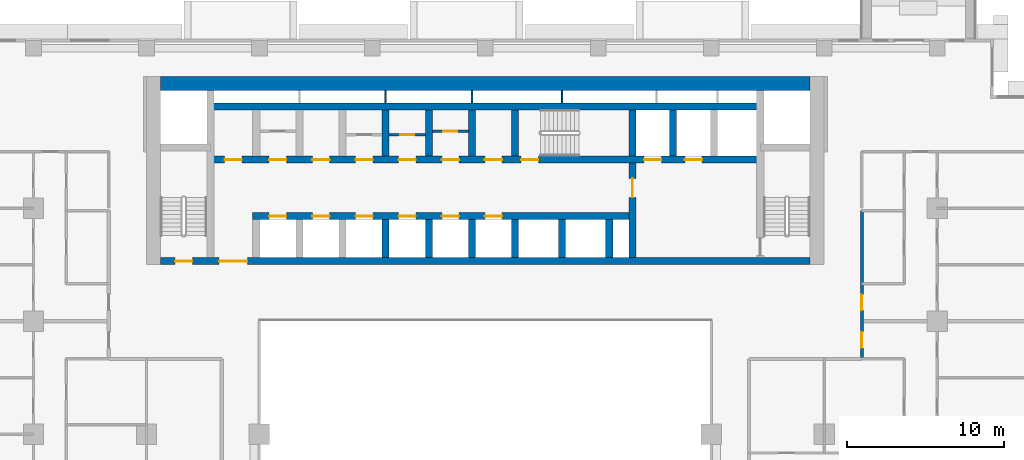
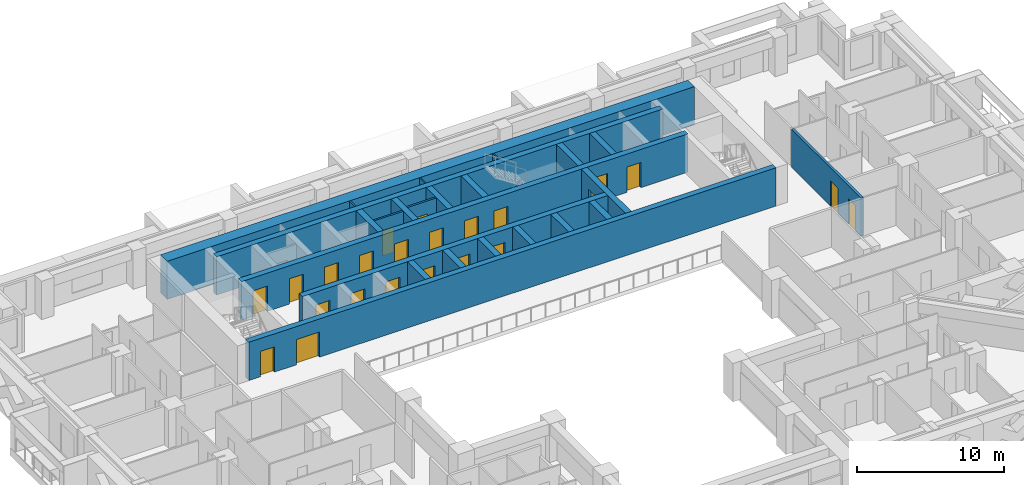
# One storey, part 10 of 17: 24 walls, 23 doors, 23 openings.
"""IFC4 building model written with IfcOpenShell, lengths in metres."""

from ifc_helpers import new_model, si_unit, direction, frame, frame_2d, origin, place, context, subcontext, project, spatial, rectangle, extrude, material, layer, layer_set, type_object, element, fill, save


model = new_model("IFC4")

# Units and contexts
model_context = context("Model", 3, precision=1e-05, world=origin(), true_north=direction((0.0, 1.0)))
body_context = subcontext(model_context, "Body", "Model", "MODEL_VIEW")
ifc_project = project(units=[si_unit("LENGTHUNIT", "METRE"), si_unit("AREAUNIT", "SQUARE_METRE"), si_unit("VOLUMEUNIT", "CUBIC_METRE"), si_unit("PLANEANGLEUNIT", "RADIAN"), si_unit("MASSUNIT", "GRAM", prefix="KILO")], contexts=[model_context])

# Site, building, storey
site_placement = place(None, origin())
site = spatial("IfcSite", under=ifc_project, at=site_placement, CompositionType="ELEMENT")
building_placement = place(site_placement, origin())
building = spatial("IfcBuilding", under=site, at=building_placement, Name="Saffron Iwan Residences", CompositionType="ELEMENT")
storey_placement = place(building_placement, frame((0.0, 0.0, 76.0)))
storey = spatial("IfcBuildingStorey", under=building, at=storey_placement, Name="L19", CompositionType="ELEMENT", Elevation=76.0)

# Wall, opening, door
ifc_material_1 = material(Name="Fire-rated plasterboard partition")
ifc_layer_1 = layer(ifc_material_1, 0.14990234375)
ifc_layer_set_1 = layer_set([ifc_layer_1], Name="Fire-rated plasterboard partition")
wall_type_1 = type_object("IfcWallType", Name="Core partition 150", PredefinedType="PARTITIONING", material=ifc_layer_set_1)
wall_1_placement = place(storey_placement, frame((44.27490234375, 74.281982421875, 0.0), z_axis=(0.0, 0.0, 1.0), x_axis=(1.0, 0.0, 0.0)))
wall_1 = element("IfcWall", 1, at=wall_1_placement, inside=storey, type_object=wall_type_1, Name="Core partition P03", PredefinedType="PARTITIONING", context=body_context, shape_type="SweptSolid", body=[
    extrude(rectangle(XDim=2.300048828125, YDim=0.14990234375, at=frame_2d((1.14990234375, 0.0))), origin(), (0.0, 0.0, 1.0), 3.179931640625),
])
opening_1_placement = place(wall_1_placement, frame((0.699951171875, 0.0, 0.0)))
opening_1 = element("IfcOpeningElement", 2, at=opening_1_placement, cuts=wall_1, Name="Opening SB", PredefinedType="OPENING", context=body_context, shape_type="SweptSolid", body=[
    extrude(rectangle(XDim=0.89990234375, YDim=2.10009765625, at=frame_2d((0.449951171875, 1.050048828125))), frame((0.0, 0.0849609375, 0.0), z_axis=(0.0, -1.0, 0.0), x_axis=(1.0, 0.0, 0.0)), (0.0, 0.0, 1.0), 0.169921875),
])
ifc_material_2 = material(Name="Steel fire door", Category="steel")
door_type_1 = type_object("IfcDoorType", Name="Store door 900", OperationType="NOTDEFINED", PredefinedType="DOOR", material=ifc_material_2)
door_1_placement = place(opening_1_placement, origin())
door_1 = element("IfcDoor", 3, at=door_1_placement, inside=storey, type_object=door_type_1, Name="Door Battery room", OperationType="SINGLE_SWING_RIGHT", OverallHeight=2.10009765625, OverallWidth=0.89990234375, PredefinedType="DOOR", context=body_context, shape_type="SweptSolid", body=[
    extrude(rectangle(XDim=0.89990234375, YDim=2.10009765625, at=frame_2d((0.449951171875, 1.050048828125))), frame((0.0, 0.02490234375, 0.0), z_axis=(0.0, -1.0, 0.0), x_axis=(1.0, 0.0, 0.0)), (0.0, 0.0, 1.0), 0.050048828125),
])
fill(opening_1, door_1)

wall_2_placement = place(storey_placement, frame((47.02490234375, 74.51806640625, 0.0), z_axis=(0.0, 0.0, 1.0), x_axis=(1.0, 0.0, 0.0)))
wall_2 = element("IfcWall", 4, at=wall_2_placement, inside=storey, type_object=wall_type_1, Name="Core partition P04", PredefinedType="PARTITIONING", context=body_context, shape_type="SweptSolid", body=[
    extrude(rectangle(XDim=2.300048828125, YDim=0.14990234375, at=frame_2d((1.14990234375, 0.0))), origin(), (0.0, 0.0, 1.0), 3.179931640625),
])
opening_2_placement = place(wall_2_placement, frame((0.699951171875, 0.0, 0.0)))
opening_2 = element("IfcOpeningElement", 5, at=opening_2_placement, cuts=wall_2, Name="Opening SB", PredefinedType="OPENING", context=body_context, shape_type="SweptSolid", body=[
    extrude(rectangle(XDim=0.89990234375, YDim=2.10009765625, at=frame_2d((0.449951171875, 1.050048828125))), frame((0.0, 0.0849609375, 0.0), z_axis=(0.0, -1.0, 0.0), x_axis=(1.0, 0.0, 0.0)), (0.0, 0.0, 1.0), 0.169921875),
])
door_2_placement = place(opening_2_placement, origin())
door_2 = element("IfcDoor", 6, at=door_2_placement, inside=storey, type_object=door_type_1, Name="Door Records store", OperationType="SINGLE_SWING_RIGHT", OverallHeight=2.10009765625, OverallWidth=0.89990234375, PredefinedType="DOOR", context=body_context, shape_type="SweptSolid", body=[
    extrude(rectangle(XDim=0.89990234375, YDim=2.10009765625, at=frame_2d((0.449951171875, 1.050048828125))), frame((0.0, 0.02490234375, 0.0), z_axis=(0.0, -1.0, 0.0), x_axis=(1.0, 0.0, 0.0)), (0.0, 0.0, 1.0), 0.050048828125),
])
fill(opening_2, door_2)

# Wall, openings, doors
ifc_material_3 = material(Name="Fire-rated gypsum board wall")
ifc_layer_2 = layer(ifc_material_3, 0.199951171875)
ifc_layer_set_2 = layer_set([ifc_layer_2], Name="Fire-rated gypsum board wall")
wall_type_2 = type_object("IfcWallType", Name="Gallery wall 200", PredefinedType="SOLIDWALL", material=ifc_layer_set_2)
wall_3_placement = place(storey_placement, frame((74.39990234375, 60.0, 0.0), z_axis=(0.0, 0.0, 1.0), x_axis=(0.0, 1.0, 0.0)))
wall_3 = element("IfcWall", 7, at=wall_3_placement, inside=storey, type_object=wall_type_2, Name="W-L19-CORR-v74.4-60", PredefinedType="SOLIDWALL", context=body_context, shape_type="SweptSolid", body=[
    extrude(rectangle(XDim=9.449951171875, YDim=0.199951171875, at=frame_2d((4.72509765625, 0.0))), origin(), (0.0, 0.0, 1.0), 3.179931640625),
])
opening_3_placement = place(wall_3_placement, frame((0.699951171875, 0.0, 0.0)))
opening_3 = element("IfcOpeningElement", 8, at=opening_3_placement, cuts=wall_3, Name="Opening FD1", PredefinedType="OPENING", context=body_context, shape_type="SweptSolid", body=[
    extrude(rectangle(XDim=1.0, YDim=2.10009765625, at=frame_2d((0.5, 1.050048828125))), frame((0.0, 0.10986328125, 0.0), z_axis=(0.0, -1.0, 0.0), x_axis=(1.0, 0.0, 0.0)), (0.0, 0.0, 1.0), 0.219970703125),
])
opening_4_placement = place(wall_3_placement, frame((3.10009765625, 0.0, 0.0)))
opening_4 = element("IfcOpeningElement", 9, at=opening_4_placement, cuts=wall_3, Name="Opening FD1", PredefinedType="OPENING", context=body_context, shape_type="SweptSolid", body=[
    extrude(rectangle(XDim=1.0, YDim=2.10009765625, at=frame_2d((0.5, 1.050048828125))), frame((0.0, 0.10986328125, 0.0), z_axis=(0.0, -1.0, 0.0), x_axis=(1.0, 0.0, 0.0)), (0.0, 0.0, 1.0), 0.219970703125),
])
ifc_material_4 = material(Name="Fire-rated timber door", Category="wood")
door_type_2 = type_object("IfcDoorType", Name="FD30S flat entrance door 1000", OperationType="NOTDEFINED", PredefinedType="DOOR", material=ifc_material_4)
door_3_placement = place(opening_3_placement, origin())
door_3 = element("IfcDoor", 10, at=door_3_placement, inside=storey, type_object=door_type_2, Name="Door L19-021", OperationType="SINGLE_SWING_RIGHT", OverallHeight=2.10009765625, OverallWidth=1.0, PredefinedType="DOOR", context=body_context, shape_type="SweptSolid", body=[
    extrude(rectangle(XDim=1.0, YDim=2.10009765625, at=frame_2d((0.5, 1.050048828125))), frame((0.0, 0.02490234375, 0.0), z_axis=(0.0, -1.0, 0.0), x_axis=(1.0, 0.0, 0.0)), (0.0, 0.0, 1.0), 0.050048828125),
])
fill(opening_3, door_3)
door_4_placement = place(opening_4_placement, origin())
door_4 = element("IfcDoor", 11, at=door_4_placement, inside=storey, type_object=door_type_2, Name="Door L19-036", OperationType="SINGLE_SWING_RIGHT", OverallHeight=2.10009765625, OverallWidth=1.0, PredefinedType="DOOR", context=body_context, shape_type="SweptSolid", body=[
    extrude(rectangle(XDim=1.0, YDim=2.10009765625, at=frame_2d((0.5, 1.050048828125))), frame((0.0, 0.02490234375, 0.0), z_axis=(0.0, -1.0, 0.0), x_axis=(1.0, 0.0, 0.0)), (0.0, 0.0, 1.0), 0.050048828125),
])
fill(opening_4, door_4)

# Walls
ifc_layer_3 = layer(ifc_material_1, 0.10009765625)
ifc_layer_set_3 = layer_set([ifc_layer_3], Name="Fire-rated plasterboard partition")
wall_type_3 = type_object("IfcWallType", Name="Riser partition 100", PredefinedType="PARTITIONING", material=ifc_layer_set_3)
for number, where, z_axis, x_axis, name in (
    (12, (44.050048828125, 76.324951171875, 0.0), (0.0, 0.0, 1.0), (0.0, 1.0, 0.0), "Core partition P06"),
    (13, (49.550048828125, 76.324951171875, 0.0), (0.0, 0.0, 1.0), (0.0, 1.0, 0.0), "Core partition P07"),
    (14, (55.300048828125, 76.324951171875, 0.0), (0.0, 0.0, 1.0), (0.0, 1.0, 0.0), "Core partition P08"),
):
    element("IfcWall", number, at=place(storey_placement, frame(where, z_axis=z_axis, x_axis=x_axis)), inside=storey, type_object=wall_type_3, Name=name, PredefinedType="PARTITIONING", context=body_context, shape_type="SweptSolid", body=[
        extrude(rectangle(XDim=0.775146484375, YDim=0.10009765625, at=frame_2d((0.3876953125, 0.0))), origin(), (0.0, 0.0, 1.0), 3.179931640625),
    ])

# Wall, openings, doors
ifc_material_5 = material(Name="Concrete C60/75", Category="concrete")
ifc_layer_4 = layer(ifc_material_5, 0.449951171875)
ifc_layer_set_4 = layer_set([ifc_layer_4], Name="Concrete C60/75")
wall_type_4 = type_object("IfcWallType", Name="WALL CORE 450 C60/75 3180 HIGH", PredefinedType="SHEAR", material=ifc_layer_set_4)
wall_4_placement = place(storey_placement, frame((29.699951171875, 66.22509765625, 0.0), z_axis=(0.0, 0.0, 1.0), x_axis=(1.0, 0.0, 0.0)))
wall_4 = element("IfcWall", 15, at=wall_4_placement, inside=storey, type_object=wall_type_4, Name="Core wall", PredefinedType="SHEAR", context=body_context, shape_type="SweptSolid", body=[
    extrude(rectangle(XDim=41.400146484375, YDim=0.449951171875, at=frame_2d((20.7001953125, 0.0))), origin(), (0.0, 0.0, 1.0), 3.179931640625),
])
opening_5_placement = place(wall_4_placement, frame((0.925048828125, 0.0, 0.0)))
opening_5 = element("IfcOpeningElement", 16, at=opening_5_placement, cuts=wall_4, Name="Opening SD", PredefinedType="OPENING", context=body_context, shape_type="SweptSolid", body=[
    extrude(rectangle(XDim=1.10009765625, YDim=2.10009765625, at=frame_2d((0.550048828125, 1.050048828125))), frame((0.0, 0.23486328125, 0.0), z_axis=(0.0, -1.0, 0.0), x_axis=(1.0, 0.0, 0.0)), (0.0, 0.0, 1.0), 0.469970703125),
])
opening_6_placement = place(wall_4_placement, frame((3.737548828125, 0.0, 0.0)))
opening_6 = element("IfcOpeningElement", 17, at=opening_6_placement, cuts=wall_4, Name="Opening DD", PredefinedType="OPENING", context=body_context, shape_type="SweptSolid", body=[
    extrude(rectangle(XDim=1.800048828125, YDim=2.10009765625, at=frame_2d((0.89990234375, 1.050048828125))), frame((0.0, 0.23486328125, 0.0), z_axis=(0.0, -1.0, 0.0), x_axis=(1.0, 0.0, 0.0)), (0.0, 0.0, 1.0), 0.469970703125),
])
door_type_3 = type_object("IfcDoorType", Name="Lobby double door 1800", OperationType="DOUBLE_DOOR_SINGLE_SWING", PredefinedType="DOOR", material=ifc_material_2)
door_5_placement = place(opening_6_placement, origin())
door_5 = element("IfcDoor", 18, at=door_5_placement, inside=storey, type_object=door_type_3, Name="Lobby doors", OperationType="DOUBLE_DOOR_SINGLE_SWING", OverallHeight=2.10009765625, OverallWidth=1.800048828125, PredefinedType="DOOR", context=body_context, shape_type="SweptSolid", body=[
    extrude(rectangle(XDim=1.800048828125, YDim=2.10009765625, at=frame_2d((0.89990234375, 1.050048828125))), frame((0.0, 0.02490234375, 0.0), z_axis=(0.0, -1.0, 0.0), x_axis=(1.0, 0.0, 0.0)), (0.0, 0.0, 1.0), 0.050048828125),
])
fill(opening_6, door_5)
door_type_4 = type_object("IfcDoorType", Name="Stair door 1100", OperationType="NOTDEFINED", PredefinedType="DOOR", material=ifc_material_2)
door_6_placement = place(opening_5_placement, origin())
door_6 = element("IfcDoor", 19, at=door_6_placement, inside=storey, type_object=door_type_4, Name="Stair door ST-W", OperationType="SINGLE_SWING_LEFT", OverallHeight=2.10009765625, OverallWidth=1.10009765625, PredefinedType="DOOR", context=body_context, shape_type="SweptSolid", body=[
    extrude(rectangle(XDim=1.10009765625, YDim=2.10009765625, at=frame_2d((0.550048828125, 1.050048828125))), frame((0.0, 0.02490234375, 0.0), z_axis=(0.0, -1.0, 0.0), x_axis=(1.0, 0.0, 0.0)), (0.0, 0.0, 1.0), 0.050048828125),
])
fill(opening_5, door_6)

wall_5_placement = place(storey_placement, frame((35.574951171875, 69.10009765625, 0.0), z_axis=(0.0, 0.0, 1.0), x_axis=(1.0, 0.0, 0.0)))
wall_5 = element("IfcWall", 20, at=wall_5_placement, inside=storey, type_object=wall_type_4, Name="Core wall", PredefinedType="SHEAR", context=body_context, shape_type="SweptSolid", body=[
    extrude(rectangle(XDim=24.199951171875, YDim=0.449951171875, at=frame_2d((12.10009765625, 0.0))), origin(), (0.0, 0.0, 1.0), 3.179931640625),
])
opening_7_placement = place(wall_5_placement, frame((1.050048828125, 0.0, 0.0)))
opening_7 = element("IfcOpeningElement", 21, at=opening_7_placement, cuts=wall_5, Name="Opening LD", PredefinedType="OPENING", context=body_context, shape_type="SweptSolid", body=[
    extrude(rectangle(XDim=1.10009765625, YDim=2.10009765625, at=frame_2d((0.550048828125, 1.050048828125))), frame((0.0, 0.23486328125, 0.0), z_axis=(0.0, -1.0, 0.0), x_axis=(1.0, 0.0, 0.0)), (0.0, 0.0, 1.0), 0.469970703125),
])
opening_8_placement = place(wall_5_placement, frame((3.800048828125, 0.0, 0.0)))
opening_8 = element("IfcOpeningElement", 22, at=opening_8_placement, cuts=wall_5, Name="Opening LD", PredefinedType="OPENING", context=body_context, shape_type="SweptSolid", body=[
    extrude(rectangle(XDim=1.10009765625, YDim=2.10009765625, at=frame_2d((0.550048828125, 1.050048828125))), frame((0.0, 0.23486328125, 0.0), z_axis=(0.0, -1.0, 0.0), x_axis=(1.0, 0.0, 0.0)), (0.0, 0.0, 1.0), 0.469970703125),
])
opening_9_placement = place(wall_5_placement, frame((6.550048828125, 0.0, 0.0)))
opening_9 = element("IfcOpeningElement", 23, at=opening_9_placement, cuts=wall_5, Name="Opening LD", PredefinedType="OPENING", context=body_context, shape_type="SweptSolid", body=[
    extrude(rectangle(XDim=1.10009765625, YDim=2.10009765625, at=frame_2d((0.550048828125, 1.050048828125))), frame((0.0, 0.23486328125, 0.0), z_axis=(0.0, -1.0, 0.0), x_axis=(1.0, 0.0, 0.0)), (0.0, 0.0, 1.0), 0.469970703125),
])
opening_10_placement = place(wall_5_placement, frame((9.300048828125, 0.0, 0.0)))
opening_10 = element("IfcOpeningElement", 24, at=opening_10_placement, cuts=wall_5, Name="Opening LD", PredefinedType="OPENING", context=body_context, shape_type="SweptSolid", body=[
    extrude(rectangle(XDim=1.10009765625, YDim=2.10009765625, at=frame_2d((0.550048828125, 1.050048828125))), frame((0.0, 0.23486328125, 0.0), z_axis=(0.0, -1.0, 0.0), x_axis=(1.0, 0.0, 0.0)), (0.0, 0.0, 1.0), 0.469970703125),
])
opening_11_placement = place(wall_5_placement, frame((12.050048828125, 0.0, 0.0)))
opening_11 = element("IfcOpeningElement", 25, at=opening_11_placement, cuts=wall_5, Name="Opening LD", PredefinedType="OPENING", context=body_context, shape_type="SweptSolid", body=[
    extrude(rectangle(XDim=1.10009765625, YDim=2.10009765625, at=frame_2d((0.550048828125, 1.050048828125))), frame((0.0, 0.23486328125, 0.0), z_axis=(0.0, -1.0, 0.0), x_axis=(1.0, 0.0, 0.0)), (0.0, 0.0, 1.0), 0.469970703125),
])
opening_12_placement = place(wall_5_placement, frame((14.800048828125, 0.0, 0.0)))
opening_12 = element("IfcOpeningElement", 26, at=opening_12_placement, cuts=wall_5, Name="Opening LD", PredefinedType="OPENING", context=body_context, shape_type="SweptSolid", body=[
    extrude(rectangle(XDim=1.10009765625, YDim=2.10009765625, at=frame_2d((0.550048828125, 1.050048828125))), frame((0.0, 0.23486328125, 0.0), z_axis=(0.0, -1.0, 0.0), x_axis=(1.0, 0.0, 0.0)), (0.0, 0.0, 1.0), 0.469970703125),
])
door_type_5 = type_object("IfcDoorType", Name="Lift landing door 1100", OperationType="SLIDING_TO_LEFT", PredefinedType="DOOR", material=ifc_material_2)
door_7_placement = place(opening_7_placement, origin())
door_7 = element("IfcDoor", 27, at=door_7_placement, inside=storey, type_object=door_type_5, Name="Landing doors LR1", OperationType="SLIDING_TO_LEFT", OverallHeight=2.10009765625, OverallWidth=1.10009765625, PredefinedType="DOOR", context=body_context, shape_type="SweptSolid", body=[
    extrude(rectangle(XDim=1.10009765625, YDim=2.10009765625, at=frame_2d((0.550048828125, 1.050048828125))), frame((0.0, 0.02490234375, 0.0), z_axis=(0.0, -1.0, 0.0), x_axis=(1.0, 0.0, 0.0)), (0.0, 0.0, 1.0), 0.050048828125),
])
fill(opening_7, door_7)
door_8_placement = place(opening_8_placement, origin())
door_8 = element("IfcDoor", 28, at=door_8_placement, inside=storey, type_object=door_type_5, Name="Landing doors LR2", OperationType="SLIDING_TO_LEFT", OverallHeight=2.10009765625, OverallWidth=1.10009765625, PredefinedType="DOOR", context=body_context, shape_type="SweptSolid", body=[
    extrude(rectangle(XDim=1.10009765625, YDim=2.10009765625, at=frame_2d((0.550048828125, 1.050048828125))), frame((0.0, 0.02490234375, 0.0), z_axis=(0.0, -1.0, 0.0), x_axis=(1.0, 0.0, 0.0)), (0.0, 0.0, 1.0), 0.050048828125),
])
fill(opening_8, door_8)
door_9_placement = place(opening_9_placement, origin())
door_9 = element("IfcDoor", 29, at=door_9_placement, inside=storey, type_object=door_type_5, Name="Landing doors LR3", OperationType="SLIDING_TO_LEFT", OverallHeight=2.10009765625, OverallWidth=1.10009765625, PredefinedType="DOOR", context=body_context, shape_type="SweptSolid", body=[
    extrude(rectangle(XDim=1.10009765625, YDim=2.10009765625, at=frame_2d((0.550048828125, 1.050048828125))), frame((0.0, 0.02490234375, 0.0), z_axis=(0.0, -1.0, 0.0), x_axis=(1.0, 0.0, 0.0)), (0.0, 0.0, 1.0), 0.050048828125),
])
fill(opening_9, door_9)
door_10_placement = place(opening_10_placement, origin())
door_10 = element("IfcDoor", 30, at=door_10_placement, inside=storey, type_object=door_type_5, Name="Landing doors LR4", OperationType="SLIDING_TO_LEFT", OverallHeight=2.10009765625, OverallWidth=1.10009765625, PredefinedType="DOOR", context=body_context, shape_type="SweptSolid", body=[
    extrude(rectangle(XDim=1.10009765625, YDim=2.10009765625, at=frame_2d((0.550048828125, 1.050048828125))), frame((0.0, 0.02490234375, 0.0), z_axis=(0.0, -1.0, 0.0), x_axis=(1.0, 0.0, 0.0)), (0.0, 0.0, 1.0), 0.050048828125),
])
fill(opening_10, door_10)
door_11_placement = place(opening_11_placement, origin())
door_11 = element("IfcDoor", 31, at=door_11_placement, inside=storey, type_object=door_type_5, Name="Landing doors LR5", OperationType="SLIDING_TO_LEFT", OverallHeight=2.10009765625, OverallWidth=1.10009765625, PredefinedType="DOOR", context=body_context, shape_type="SweptSolid", body=[
    extrude(rectangle(XDim=1.10009765625, YDim=2.10009765625, at=frame_2d((0.550048828125, 1.050048828125))), frame((0.0, 0.02490234375, 0.0), z_axis=(0.0, -1.0, 0.0), x_axis=(1.0, 0.0, 0.0)), (0.0, 0.0, 1.0), 0.050048828125),
])
fill(opening_11, door_11)
door_12_placement = place(opening_12_placement, origin())
door_12 = element("IfcDoor", 32, at=door_12_placement, inside=storey, type_object=door_type_5, Name="Landing doors LR6", OperationType="SLIDING_TO_LEFT", OverallHeight=2.10009765625, OverallWidth=1.10009765625, PredefinedType="DOOR", context=body_context, shape_type="SweptSolid", body=[
    extrude(rectangle(XDim=1.10009765625, YDim=2.10009765625, at=frame_2d((0.550048828125, 1.050048828125))), frame((0.0, 0.02490234375, 0.0), z_axis=(0.0, -1.0, 0.0), x_axis=(1.0, 0.0, 0.0)), (0.0, 0.0, 1.0), 0.050048828125),
])
fill(opening_12, door_12)

wall_6_placement = place(storey_placement, frame((32.875, 72.699951171875, 0.0), z_axis=(0.0, 0.0, 1.0), x_axis=(1.0, 0.0, 0.0)))
wall_6 = element("IfcWall", 33, at=wall_6_placement, inside=storey, type_object=wall_type_4, Name="Core wall", PredefinedType="SHEAR", context=body_context, shape_type="SweptSolid", body=[
    extrude(rectangle(XDim=35.050048828125, YDim=0.449951171875, at=frame_2d((17.52490234375, 0.0))), origin(), (0.0, 0.0, 1.0), 3.179931640625),
])
opening_13_placement = place(wall_6_placement, frame((19.800048828125, 0.0, 0.0)))
opening_13 = element("IfcOpeningElement", 34, at=opening_13_placement, cuts=wall_6, Name="Opening SD", PredefinedType="OPENING", context=body_context, shape_type="SweptSolid", body=[
    extrude(rectangle(XDim=1.10009765625, YDim=2.10009765625, at=frame_2d((0.550048828125, 1.050048828125))), frame((0.0, 0.23486328125, 0.0), z_axis=(0.0, -1.0, 0.0), x_axis=(1.0, 0.0, 0.0)), (0.0, 0.0, 1.0), 0.469970703125),
])
opening_14_placement = place(wall_6_placement, frame((27.64990234375, 0.0, 0.0)))
opening_14 = element("IfcOpeningElement", 35, at=opening_14_placement, cuts=wall_6, Name="Opening LD", PredefinedType="OPENING", context=body_context, shape_type="SweptSolid", body=[
    extrude(rectangle(XDim=1.10009765625, YDim=2.10009765625, at=frame_2d((0.550048828125, 1.050048828125))), frame((0.0, 0.23486328125, 0.0), z_axis=(0.0, -1.0, 0.0), x_axis=(1.0, 0.0, 0.0)), (0.0, 0.0, 1.0), 0.469970703125),
])
opening_15_placement = place(wall_6_placement, frame((30.25, 0.0, 0.0)))
opening_15 = element("IfcOpeningElement", 36, at=opening_15_placement, cuts=wall_6, Name="Opening LD", PredefinedType="OPENING", context=body_context, shape_type="SweptSolid", body=[
    extrude(rectangle(XDim=1.10009765625, YDim=2.10009765625, at=frame_2d((0.550048828125, 1.050048828125))), frame((0.0, 0.23486328125, 0.0), z_axis=(0.0, -1.0, 0.0), x_axis=(1.0, 0.0, 0.0)), (0.0, 0.0, 1.0), 0.469970703125),
])
opening_16_placement = place(wall_6_placement, frame((3.75, 0.0, 0.0)))
opening_16 = element("IfcOpeningElement", 37, at=opening_16_placement, cuts=wall_6, Name="Opening SR", PredefinedType="OPENING", context=body_context, shape_type="SweptSolid", body=[
    extrude(rectangle(XDim=1.10009765625, YDim=2.10009765625, at=frame_2d((0.550048828125, 1.050048828125))), frame((0.0, 0.23486328125, 0.0), z_axis=(0.0, -1.0, 0.0), x_axis=(1.0, 0.0, 0.0)), (0.0, 0.0, 1.0), 0.469970703125),
])
opening_17_placement = place(wall_6_placement, frame((6.5, 0.0, 0.0)))
opening_17 = element("IfcOpeningElement", 38, at=opening_17_placement, cuts=wall_6, Name="Opening SR", PredefinedType="OPENING", context=body_context, shape_type="SweptSolid", body=[
    extrude(rectangle(XDim=1.10009765625, YDim=2.10009765625, at=frame_2d((0.550048828125, 1.050048828125))), frame((0.0, 0.23486328125, 0.0), z_axis=(0.0, -1.0, 0.0), x_axis=(1.0, 0.0, 0.0)), (0.0, 0.0, 1.0), 0.469970703125),
])
opening_18_placement = place(wall_6_placement, frame((9.25, 0.0, 0.0)))
opening_18 = element("IfcOpeningElement", 39, at=opening_18_placement, cuts=wall_6, Name="Opening SR", PredefinedType="OPENING", context=body_context, shape_type="SweptSolid", body=[
    extrude(rectangle(XDim=1.10009765625, YDim=2.10009765625, at=frame_2d((0.550048828125, 1.050048828125))), frame((0.0, 0.23486328125, 0.0), z_axis=(0.0, -1.0, 0.0), x_axis=(1.0, 0.0, 0.0)), (0.0, 0.0, 1.0), 0.469970703125),
])
opening_19_placement = place(wall_6_placement, frame((12.0, 0.0, 0.0)))
opening_19 = element("IfcOpeningElement", 40, at=opening_19_placement, cuts=wall_6, Name="Opening SR", PredefinedType="OPENING", context=body_context, shape_type="SweptSolid", body=[
    extrude(rectangle(XDim=1.10009765625, YDim=2.10009765625, at=frame_2d((0.550048828125, 1.050048828125))), frame((0.0, 0.23486328125, 0.0), z_axis=(0.0, -1.0, 0.0), x_axis=(1.0, 0.0, 0.0)), (0.0, 0.0, 1.0), 0.469970703125),
])
opening_20_placement = place(wall_6_placement, frame((14.75, 0.0, 0.0)))
opening_20 = element("IfcOpeningElement", 41, at=opening_20_placement, cuts=wall_6, Name="Opening SR", PredefinedType="OPENING", context=body_context, shape_type="SweptSolid", body=[
    extrude(rectangle(XDim=1.10009765625, YDim=2.10009765625, at=frame_2d((0.550048828125, 1.050048828125))), frame((0.0, 0.23486328125, 0.0), z_axis=(0.0, -1.0, 0.0), x_axis=(1.0, 0.0, 0.0)), (0.0, 0.0, 1.0), 0.469970703125),
])
opening_21_placement = place(wall_6_placement, frame((17.5, 0.0, 0.0)))
opening_21 = element("IfcOpeningElement", 42, at=opening_21_placement, cuts=wall_6, Name="Opening SR", PredefinedType="OPENING", context=body_context, shape_type="SweptSolid", body=[
    extrude(rectangle(XDim=1.10009765625, YDim=2.10009765625, at=frame_2d((0.550048828125, 1.050048828125))), frame((0.0, 0.23486328125, 0.0), z_axis=(0.0, -1.0, 0.0), x_axis=(1.0, 0.0, 0.0)), (0.0, 0.0, 1.0), 0.469970703125),
])
opening_22_placement = place(wall_6_placement, frame((0.91259765625, 0.0, 0.0)))
opening_22 = element("IfcOpeningElement", 43, at=opening_22_placement, cuts=wall_6, Name="Opening SR", PredefinedType="OPENING", context=body_context, shape_type="SweptSolid", body=[
    extrude(rectangle(XDim=1.10009765625, YDim=2.10009765625, at=frame_2d((0.550048828125, 1.050048828125))), frame((0.0, 0.23486328125, 0.0), z_axis=(0.0, -1.0, 0.0), x_axis=(1.0, 0.0, 0.0)), (0.0, 0.0, 1.0), 0.469970703125),
])
door_13_placement = place(opening_14_placement, origin())
door_13 = element("IfcDoor", 44, at=door_13_placement, inside=storey, type_object=door_type_5, Name="Landing doors FF1", OperationType="SLIDING_TO_LEFT", OverallHeight=2.10009765625, OverallWidth=1.10009765625, PredefinedType="DOOR", context=body_context, shape_type="SweptSolid", body=[
    extrude(rectangle(XDim=1.10009765625, YDim=2.10009765625, at=frame_2d((0.550048828125, 1.050048828125))), frame((0.0, 0.02490234375, 0.0), z_axis=(0.0, -1.0, 0.0), x_axis=(1.0, 0.0, 0.0)), (0.0, 0.0, 1.0), 0.050048828125),
])
fill(opening_14, door_13)
door_14_placement = place(opening_15_placement, origin())
door_14 = element("IfcDoor", 45, at=door_14_placement, inside=storey, type_object=door_type_5, Name="Landing doors FF2", OperationType="SLIDING_TO_LEFT", OverallHeight=2.10009765625, OverallWidth=1.10009765625, PredefinedType="DOOR", context=body_context, shape_type="SweptSolid", body=[
    extrude(rectangle(XDim=1.10009765625, YDim=2.10009765625, at=frame_2d((0.550048828125, 1.050048828125))), frame((0.0, 0.02490234375, 0.0), z_axis=(0.0, -1.0, 0.0), x_axis=(1.0, 0.0, 0.0)), (0.0, 0.0, 1.0), 0.050048828125),
])
fill(opening_15, door_14)
door_type_6 = type_object("IfcDoorType", Name="Service door 1100", OperationType="NOTDEFINED", PredefinedType="DOOR", material=ifc_material_2)
door_15_placement = place(opening_16_placement, origin())
door_15 = element("IfcDoor", 46, at=door_15_placement, inside=storey, type_object=door_type_6, Name="Door Linen store", OperationType="SINGLE_SWING_LEFT", OverallHeight=2.10009765625, OverallWidth=1.10009765625, PredefinedType="DOOR", context=body_context, shape_type="SweptSolid", body=[
    extrude(rectangle(XDim=1.10009765625, YDim=2.10009765625, at=frame_2d((0.550048828125, 1.050048828125))), frame((0.0, 0.02490234375, 0.0), z_axis=(0.0, -1.0, 0.0), x_axis=(1.0, 0.0, 0.0)), (0.0, 0.0, 1.0), 0.050048828125),
])
fill(opening_16, door_15)
door_16_placement = place(opening_17_placement, origin())
door_16 = element("IfcDoor", 47, at=door_16_placement, inside=storey, type_object=door_type_6, Name="Door Pantry", OperationType="SINGLE_SWING_LEFT", OverallHeight=2.10009765625, OverallWidth=1.10009765625, PredefinedType="DOOR", context=body_context, shape_type="SweptSolid", body=[
    extrude(rectangle(XDim=1.10009765625, YDim=2.10009765625, at=frame_2d((0.550048828125, 1.050048828125))), frame((0.0, 0.02490234375, 0.0), z_axis=(0.0, -1.0, 0.0), x_axis=(1.0, 0.0, 0.0)), (0.0, 0.0, 1.0), 0.050048828125),
])
fill(opening_17, door_16)
door_17_placement = place(opening_18_placement, origin())
door_17 = element("IfcDoor", 48, at=door_17_placement, inside=storey, type_object=door_type_6, Name="Door Electrical room", OperationType="SINGLE_SWING_LEFT", OverallHeight=2.10009765625, OverallWidth=1.10009765625, PredefinedType="DOOR", context=body_context, shape_type="SweptSolid", body=[
    extrude(rectangle(XDim=1.10009765625, YDim=2.10009765625, at=frame_2d((0.550048828125, 1.050048828125))), frame((0.0, 0.02490234375, 0.0), z_axis=(0.0, -1.0, 0.0), x_axis=(1.0, 0.0, 0.0)), (0.0, 0.0, 1.0), 0.050048828125),
])
fill(opening_18, door_17)
door_18_placement = place(opening_19_placement, origin())
door_18 = element("IfcDoor", 49, at=door_18_placement, inside=storey, type_object=door_type_6, Name="Door Luggage store", OperationType="SINGLE_SWING_LEFT", OverallHeight=2.10009765625, OverallWidth=1.10009765625, PredefinedType="DOOR", context=body_context, shape_type="SweptSolid", body=[
    extrude(rectangle(XDim=1.10009765625, YDim=2.10009765625, at=frame_2d((0.550048828125, 1.050048828125))), frame((0.0, 0.02490234375, 0.0), z_axis=(0.0, -1.0, 0.0), x_axis=(1.0, 0.0, 0.0)), (0.0, 0.0, 1.0), 0.050048828125),
])
fill(opening_19, door_18)
door_19_placement = place(opening_20_placement, origin())
door_19 = element("IfcDoor", 50, at=door_19_placement, inside=storey, type_object=door_type_6, Name="Door Refuse store", OperationType="SINGLE_SWING_LEFT", OverallHeight=2.10009765625, OverallWidth=1.10009765625, PredefinedType="DOOR", context=body_context, shape_type="SweptSolid", body=[
    extrude(rectangle(XDim=1.10009765625, YDim=2.10009765625, at=frame_2d((0.550048828125, 1.050048828125))), frame((0.0, 0.02490234375, 0.0), z_axis=(0.0, -1.0, 0.0), x_axis=(1.0, 0.0, 0.0)), (0.0, 0.0, 1.0), 0.050048828125),
])
fill(opening_20, door_19)
door_20_placement = place(opening_21_placement, origin())
door_20 = element("IfcDoor", 51, at=door_20_placement, inside=storey, type_object=door_type_6, Name="Door Maintenance store", OperationType="SINGLE_SWING_LEFT", OverallHeight=2.10009765625, OverallWidth=1.10009765625, PredefinedType="DOOR", context=body_context, shape_type="SweptSolid", body=[
    extrude(rectangle(XDim=1.10009765625, YDim=2.10009765625, at=frame_2d((0.550048828125, 1.050048828125))), frame((0.0, 0.02490234375, 0.0), z_axis=(0.0, -1.0, 0.0), x_axis=(1.0, 0.0, 0.0)), (0.0, 0.0, 1.0), 0.050048828125),
])
fill(opening_21, door_20)
door_21_placement = place(opening_22_placement, origin())
door_21 = element("IfcDoor", 52, at=door_21_placement, inside=storey, type_object=door_type_6, Name="Door Service room", OperationType="SINGLE_SWING_LEFT", OverallHeight=2.10009765625, OverallWidth=1.10009765625, PredefinedType="DOOR", context=body_context, shape_type="SweptSolid", body=[
    extrude(rectangle(XDim=1.10009765625, YDim=2.10009765625, at=frame_2d((0.550048828125, 1.050048828125))), frame((0.0, 0.02490234375, 0.0), z_axis=(0.0, -1.0, 0.0), x_axis=(1.0, 0.0, 0.0)), (0.0, 0.0, 1.0), 0.050048828125),
])
fill(opening_22, door_21)
door_22_placement = place(opening_13_placement, origin())
door_22 = element("IfcDoor", 53, at=door_22_placement, inside=storey, type_object=door_type_4, Name="Stair door ST-C", OperationType="SINGLE_SWING_LEFT", OverallHeight=2.10009765625, OverallWidth=1.10009765625, PredefinedType="DOOR", context=body_context, shape_type="SweptSolid", body=[
    extrude(rectangle(XDim=1.10009765625, YDim=2.10009765625, at=frame_2d((0.550048828125, 1.050048828125))), frame((0.0, 0.02490234375, 0.0), z_axis=(0.0, -1.0, 0.0), x_axis=(1.0, 0.0, 0.0)), (0.0, 0.0, 1.0), 0.050048828125),
])
fill(opening_13, door_22)

# Wall
wall_7_placement = place(storey_placement, frame((32.875, 76.10009765625, 0.0), z_axis=(0.0, 0.0, 1.0), x_axis=(1.0, 0.0, 0.0)))
element("IfcWall", 54, at=wall_7_placement, inside=storey, type_object=wall_type_4, Name="Core wall", PredefinedType="SHEAR", context=body_context, shape_type="SweptSolid", body=[
    extrude(rectangle(XDim=35.050048828125, YDim=0.449951171875, at=frame_2d((17.52490234375, 0.0))), origin(), (0.0, 0.0, 1.0), 3.179931640625),
])

# Wall, opening, door
wall_8_placement = place(storey_placement, frame((59.77490234375, 66.449951171875, 0.0), z_axis=(0.0, 0.0, 1.0), x_axis=(0.0, 1.0, 0.0)))
wall_8 = element("IfcWall", 55, at=wall_8_placement, inside=storey, type_object=wall_type_4, Name="Core wall", PredefinedType="SHEAR", context=body_context, shape_type="SweptSolid", body=[
    extrude(rectangle(XDim=6.025146484375, YDim=0.449951171875, at=frame_2d((3.0126953125, 0.0))), origin(), (0.0, 0.0, 1.0), 3.179931640625),
])
opening_23_placement = place(wall_8_placement, frame((3.85009765625, 0.0, 0.0)))
opening_23 = element("IfcOpeningElement", 56, at=opening_23_placement, cuts=wall_8, Name="Opening FD", PredefinedType="OPENING", context=body_context, shape_type="SweptSolid", body=[
    extrude(rectangle(XDim=1.199951171875, YDim=2.10009765625, at=frame_2d((0.60009765625, 1.050048828125))), frame((0.0, 0.23486328125, 0.0), z_axis=(0.0, -1.0, 0.0), x_axis=(1.0, 0.0, 0.0)), (0.0, 0.0, 1.0), 0.469970703125),
])
door_type_7 = type_object("IfcDoorType", Name="Firefighting lobby door 1200", OperationType="NOTDEFINED", PredefinedType="DOOR", material=ifc_material_2)
door_23_placement = place(opening_23_placement, origin())
door_23 = element("IfcDoor", 57, at=door_23_placement, inside=storey, type_object=door_type_7, Name="Firefighting lobby door", OperationType="SINGLE_SWING_RIGHT", OverallHeight=2.10009765625, OverallWidth=1.199951171875, PredefinedType="DOOR", context=body_context, shape_type="SweptSolid", body=[
    extrude(rectangle(XDim=1.199951171875, YDim=2.10009765625, at=frame_2d((0.60009765625, 1.050048828125))), frame((0.0, 0.02490234375, 0.0), z_axis=(0.0, -1.0, 0.0), x_axis=(1.0, 0.0, 0.0)), (0.0, 0.0, 1.0), 0.050048828125),
])
fill(opening_23, door_23)

# Walls
wall_9_placement = place(storey_placement, frame((59.77490234375, 72.925048828125, 0.0), z_axis=(0.0, 0.0, 1.0), x_axis=(0.0, 1.0, 0.0)))
element("IfcWall", 58, at=wall_9_placement, inside=storey, type_object=wall_type_4, Name="Core wall", PredefinedType="SHEAR", context=body_context, shape_type="SweptSolid", body=[
    extrude(rectangle(XDim=2.949951171875, YDim=0.449951171875, at=frame_2d((1.47509765625, 0.0))), origin(), (0.0, 0.0, 1.0), 3.179931640625),
])
for number, where, z_axis, x_axis, name in (
    (59, (44.050048828125, 66.449951171875, 0.0), (0.0, 0.0, 1.0), (0.0, 1.0, 0.0), "Core wall"),
    (60, (46.800048828125, 66.449951171875, 0.0), (0.0, 0.0, 1.0), (0.0, 1.0, 0.0), "Core wall"),
    (61, (49.550048828125, 66.449951171875, 0.0), (0.0, 0.0, 1.0), (0.0, 1.0, 0.0), "Core wall"),
    (62, (52.300048828125, 66.449951171875, 0.0), (0.0, 0.0, 1.0), (0.0, 1.0, 0.0), "Core wall"),
    (63, (55.300048828125, 66.449951171875, 0.0), (0.0, 0.0, 1.0), (0.0, 1.0, 0.0), "Core wall"),
    (64, (58.300048828125, 66.449951171875, 0.0), (0.0, 0.0, 1.0), (0.0, 1.0, 0.0), "Core wall"),
):
    element("IfcWall", number, at=place(storey_placement, frame(where, z_axis=z_axis, x_axis=x_axis)), inside=storey, type_object=wall_type_4, Name=name, PredefinedType="SHEAR", context=body_context, shape_type="SweptSolid", body=[
        extrude(rectangle(XDim=2.425048828125, YDim=0.449951171875, at=frame_2d((1.21240234375, 0.0))), origin(), (0.0, 0.0, 1.0), 3.179931640625),
    ])
for number, where, z_axis, x_axis, name in (
    (65, (44.050048828125, 72.925048828125, 0.0), (0.0, 0.0, 1.0), (0.0, 1.0, 0.0), "Core wall"),
    (66, (46.800048828125, 72.925048828125, 0.0), (0.0, 0.0, 1.0), (0.0, 1.0, 0.0), "Core wall"),
    (67, (49.550048828125, 72.925048828125, 0.0), (0.0, 0.0, 1.0), (0.0, 1.0, 0.0), "Core wall"),
    (68, (52.300048828125, 72.925048828125, 0.0), (0.0, 0.0, 1.0), (0.0, 1.0, 0.0), "Core wall"),
    (69, (62.375, 72.925048828125, 0.0), (0.0, 0.0, 1.0), (0.0, 1.0, 0.0), "Core wall"),
):
    element("IfcWall", number, at=place(storey_placement, frame(where, z_axis=z_axis, x_axis=x_axis)), inside=storey, type_object=wall_type_4, Name=name, PredefinedType="SHEAR", context=body_context, shape_type="SweptSolid", body=[
        extrude(rectangle(XDim=2.949951171875, YDim=0.449951171875, at=frame_2d((1.47509765625, 0.0))), origin(), (0.0, 0.0, 1.0), 3.179931640625),
    ])
ifc_layer_5 = layer(ifc_material_5, 0.89990234375)
ifc_layer_set_5 = layer_set([ifc_layer_5], Name="Concrete C60/75")
wall_type_5 = type_object("IfcWallType", Name="WALL CORE 900 C60/75 3180 HIGH", PredefinedType="SHEAR", material=ifc_layer_set_5)
wall_10_placement = place(storey_placement, frame((29.699951171875, 77.550048828125, 0.0), z_axis=(0.0, 0.0, 1.0), x_axis=(1.0, 0.0, 0.0)))
element("IfcWall", 70, at=wall_10_placement, inside=storey, type_object=wall_type_5, Name="Core wall", PredefinedType="SHEAR", context=body_context, shape_type="SweptSolid", body=[
    extrude(rectangle(XDim=41.400146484375, YDim=0.89990234375, at=frame_2d((20.7001953125, 0.0))), origin(), (0.0, 0.0, 1.0), 3.179931640625),
])

save(model, "model.ifc")
